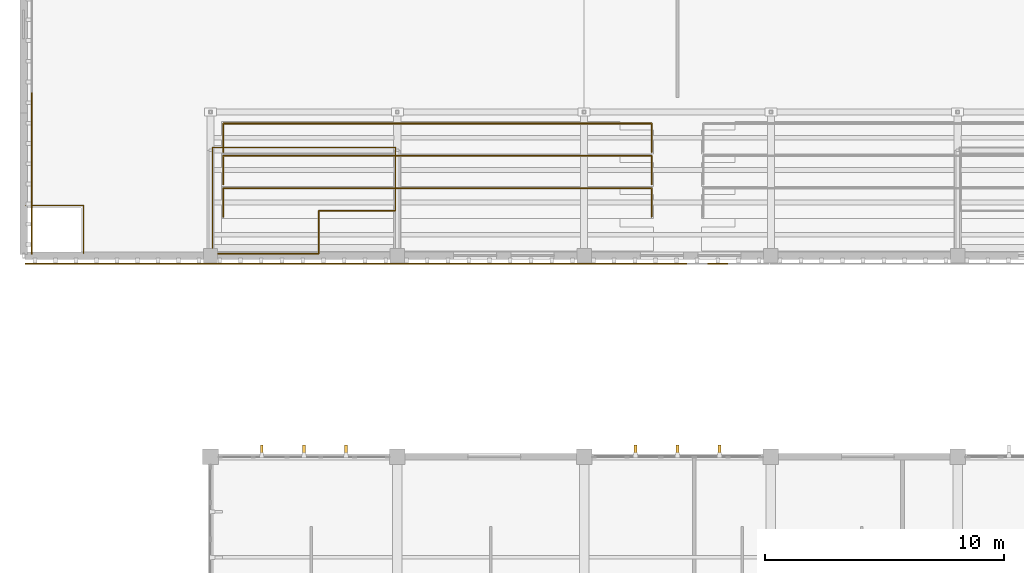
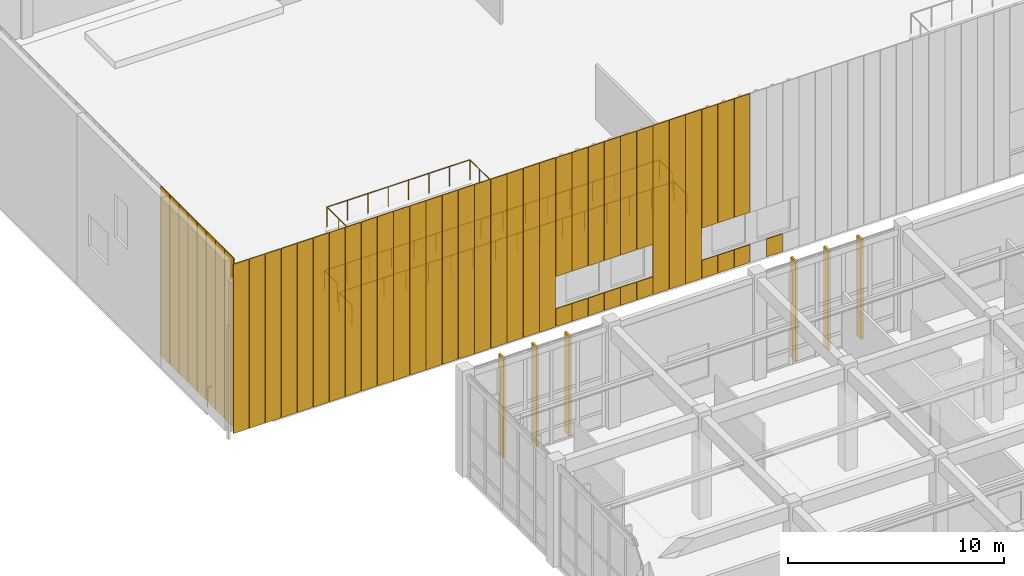
# One storey, part 92 of 105: 56 coverings, 5 railings.
"""IFC4 building model written with IfcOpenShell, lengths in metres."""

from ifc_helpers import new_model, si_unit, direction, frame, origin, origin_2d, place, context, subcontext, project, spatial, rectangle, circle, extrude, material, layer, layer_set, type_object, element, save


model = new_model("IFC4")

# Units and contexts
model_context = context("Model", 3, precision=1e-05, world=origin(), true_north=direction((0.0, 1.0)))
body_context = subcontext(model_context, "Body", "Model", "MODEL_VIEW")
ifc_project = project(units=[si_unit("LENGTHUNIT", "METRE"), si_unit("AREAUNIT", "SQUARE_METRE"), si_unit("VOLUMEUNIT", "CUBIC_METRE"), si_unit("PLANEANGLEUNIT", "RADIAN"), si_unit("MASSUNIT", "GRAM", prefix="KILO")], contexts=[model_context])

# Site, building, storey
site_placement = place(None, origin())
site = spatial("IfcSite", under=ifc_project, at=site_placement, CompositionType="ELEMENT")
building_placement = place(site_placement, origin())
building = spatial("IfcBuilding", under=site, at=building_placement, Name="Tizgana Railside Sports Hall", CompositionType="ELEMENT")
storey_placement = place(building_placement, frame((0.0, 0.0, 6.0)))
storey = spatial("IfcBuildingStorey", under=building, at=storey_placement, Name="L01", CompositionType="ELEMENT", Elevation=6.0)

# Coverings
ifc_material_1 = material(Name="Glulam GL28h", Category="wood")
ifc_layer_1 = layer(ifc_material_1, 0.139892578125, Name="Glulam GL28h")
ifc_layer_set_1 = layer_set([ifc_layer_1], Name="Glulam GL28h")
covering_type_1 = type_object("IfcCoveringType", Name="Mass-Timber Brise-Soleil & Pergola Fin", PredefinedType="CLADDING", material=ifc_layer_set_1)
for number, where, z_axis, x_axis, name in (
    (1, (9.93994140625, 32.679931640625, 0.0400390625), (0.0, 0.0, 1.0), (1.0, 0.0, 0.0), "L01 Timber Brise-Soleil Fin"),
    (2, (11.699951171875, 32.679931640625, 0.0400390625), (0.0, 0.0, 1.0), (1.0, 0.0, 0.0), "L01 Timber Brise-Soleil Fin"),
    (3, (13.4599609375, 32.679931640625, 0.0400390625), (0.0, 0.0, 1.0), (1.0, 0.0, 0.0), "L01 Timber Brise-Soleil Fin"),
    (4, (25.5400390625, 32.679931640625, 0.0400390625), (0.0, 0.0, 1.0), (1.0, 0.0, 0.0), "L01 Timber Brise-Soleil Fin"),
    (5, (27.300048828125, 32.679931640625, 0.0400390625), (0.0, 0.0, 1.0), (1.0, 0.0, 0.0), "L01 Timber Brise-Soleil Fin"),
    (6, (29.06005859375, 32.679931640625, 0.0400390625), (0.0, 0.0, 1.0), (1.0, 0.0, 0.0), "L01 Timber Brise-Soleil Fin"),
):
    element("IfcCovering", number, at=place(storey_placement, frame(where, z_axis=z_axis, x_axis=x_axis)), inside=storey, type_object=covering_type_1, Name=name, PredefinedType="CLADDING", context=body_context, shape_type="SweptSolid", body=[
        extrude(rectangle(XDim=0.1201171875, YDim=0.43994140625, at=origin_2d()), origin(), (0.0, 0.0, 1.0), 5.639892578125),
    ])
ifc_material_2 = material(Name="Anodised perforated aluminium screen", Category="aluminium")
ifc_layer_2 = layer(ifc_material_2, 0.044921875, Name="Anodised perforated aluminium screen")
ifc_layer_set_2 = layer_set([ifc_layer_2], Name="Anodised perforated aluminium screen")
covering_type_2 = type_object("IfcCoveringType", Name="Perforated Aluminium Hall Screen 900", PredefinedType="CLADDING", material=ifc_layer_set_2)
for number, where, z_axis, x_axis, name in (
    (7, (7.322265625, 40.465087890625, 0.02001953125), (0.0, 0.0, 1.0), (-1.0, 0.0, 0.0), "L01 Perforated Screen SCR-0001"),
    (8, (6.466796875, 40.465087890625, 0.02001953125), (0.0, 0.0, 1.0), (-1.0, 0.0, 0.0), "L01 Perforated Screen SCR-0002"),
    (9, (5.611083984375, 40.465087890625, 0.02001953125), (0.0, 0.0, 1.0), (-1.0, 0.0, 0.0), "L01 Perforated Screen SCR-0003"),
    (10, (4.755615234375, 40.465087890625, 0.02001953125), (0.0, 0.0, 1.0), (-1.0, 0.0, 0.0), "L01 Perforated Screen SCR-0004"),
    (11, (3.89990234375, 40.465087890625, 0.02001953125), (0.0, 0.0, 1.0), (-1.0, 0.0, 0.0), "L01 Perforated Screen SCR-0005"),
    (12, (3.04443359375, 40.465087890625, 0.02001953125), (0.0, 0.0, 1.0), (-1.0, 0.0, 0.0), "L01 Perforated Screen SCR-0006"),
    (13, (2.18896484375, 40.465087890625, 0.02001953125), (0.0, 0.0, 1.0), (-1.0, 0.0, 0.0), "L01 Perforated Screen SCR-0007"),
    (14, (1.333251953125, 40.465087890625, 0.02001953125), (0.0, 0.0, 1.0), (-1.0, 0.0, 0.0), "L01 Perforated Screen SCR-0008"),
    (15, (0.477783203125, 40.465087890625, 0.02001953125), (0.0, 0.0, 1.0), (-1.0, 0.0, 0.0), "L01 Perforated Screen SCR-0009"),
):
    element("IfcCovering", number, at=place(storey_placement, frame(where, z_axis=z_axis, x_axis=x_axis)), inside=storey, type_object=covering_type_2, Name=name, PredefinedType="CLADDING", context=body_context, shape_type="SweptSolid", body=[
        extrude(rectangle(XDim=0.837646484375, YDim=0.044921875, at=origin_2d()), origin(), (0.0, 0.0, 1.0), 9.56005859375),
    ])
for number, where, z_axis, x_axis, name in (
    (16, (15.116943359375, 40.465087890625, 0.02001953125), (0.0, 0.0, 1.0), (-1.0, 0.0, 0.0), "L01 Perforated Screen SCR-0023"),
    (17, (14.250732421875, 40.465087890625, 0.02001953125), (0.0, 0.0, 1.0), (-1.0, 0.0, 0.0), "L01 Perforated Screen SCR-0024"),
    (18, (13.384765625, 40.465087890625, 0.02001953125), (0.0, 0.0, 1.0), (-1.0, 0.0, 0.0), "L01 Perforated Screen SCR-0025"),
    (19, (12.5185546875, 40.465087890625, 0.02001953125), (0.0, 0.0, 1.0), (-1.0, 0.0, 0.0), "L01 Perforated Screen SCR-0026"),
    (20, (11.652587890625, 40.465087890625, 0.02001953125), (0.0, 0.0, 1.0), (-1.0, 0.0, 0.0), "L01 Perforated Screen SCR-0027"),
    (21, (10.786376953125, 40.465087890625, 0.02001953125), (0.0, 0.0, 1.0), (-1.0, 0.0, 0.0), "L01 Perforated Screen SCR-0028"),
    (22, (9.92041015625, 40.465087890625, 0.02001953125), (0.0, 0.0, 1.0), (-1.0, 0.0, 0.0), "L01 Perforated Screen SCR-0029"),
    (23, (9.05419921875, 40.465087890625, 0.02001953125), (0.0, 0.0, 1.0), (-1.0, 0.0, 0.0), "L01 Perforated Screen SCR-0030"),
    (24, (8.18798828125, 40.465087890625, 0.02001953125), (0.0, 0.0, 1.0), (-1.0, 0.0, 0.0), "L01 Perforated Screen SCR-0031"),
    (25, (22.9169921875, 40.465087890625, 0.02001953125), (0.0, 0.0, 1.0), (-1.0, 0.0, 0.0), "L01 Perforated Screen SCR-0041"),
):
    element("IfcCovering", number, at=place(storey_placement, frame(where, z_axis=z_axis, x_axis=x_axis)), inside=storey, type_object=covering_type_2, Name=name, PredefinedType="CLADDING", context=body_context, shape_type="SweptSolid", body=[
        extrude(rectangle(XDim=0.84814453125, YDim=0.044921875, at=origin_2d()), origin(), (0.0, 0.0, 1.0), 9.56005859375),
    ])
covering_1_placement = place(storey_placement, frame((22.05078125, 40.465087890625, 0.02978515625), z_axis=(0.0, 0.0, 1.0), x_axis=(-1.0, 0.0, 0.0)))
element("IfcCovering", 26, at=covering_1_placement, inside=storey, type_object=covering_type_2, Name="L01 Perforated Spandrel SCR-0042", PredefinedType="CLADDING", context=body_context, shape_type="SweptSolid", body=[
    extrude(rectangle(XDim=0.84814453125, YDim=0.044921875, at=origin_2d()), origin(), (0.0, 0.0, 1.0), 1.010009765625),
])
covering_2_placement = place(storey_placement, frame((22.05078125, 40.465087890625, 2.860107421875), z_axis=(0.0, 0.0, 1.0), x_axis=(-1.0, 0.0, 0.0)))
element("IfcCovering", 27, at=covering_2_placement, inside=storey, type_object=covering_type_2, Name="L01 Perforated Header SCR-0043", PredefinedType="CLADDING", context=body_context, shape_type="SweptSolid", body=[
    extrude(rectangle(XDim=0.84814453125, YDim=0.044921875, at=origin_2d()), origin(), (0.0, 0.0, 1.0), 6.7099609375),
])
covering_3_placement = place(storey_placement, frame((21.184814453125, 40.465087890625, 0.02978515625), z_axis=(0.0, 0.0, 1.0), x_axis=(-1.0, 0.0, 0.0)))
element("IfcCovering", 28, at=covering_3_placement, inside=storey, type_object=covering_type_2, Name="L01 Perforated Spandrel SCR-0044", PredefinedType="CLADDING", context=body_context, shape_type="SweptSolid", body=[
    extrude(rectangle(XDim=0.84814453125, YDim=0.044921875, at=origin_2d()), origin(), (0.0, 0.0, 1.0), 1.010009765625),
])
covering_4_placement = place(storey_placement, frame((21.184814453125, 40.465087890625, 2.860107421875), z_axis=(0.0, 0.0, 1.0), x_axis=(-1.0, 0.0, 0.0)))
element("IfcCovering", 29, at=covering_4_placement, inside=storey, type_object=covering_type_2, Name="L01 Perforated Header SCR-0045", PredefinedType="CLADDING", context=body_context, shape_type="SweptSolid", body=[
    extrude(rectangle(XDim=0.84814453125, YDim=0.044921875, at=origin_2d()), origin(), (0.0, 0.0, 1.0), 6.7099609375),
])
covering_5_placement = place(storey_placement, frame((20.318603515625, 40.465087890625, 0.02978515625), z_axis=(0.0, 0.0, 1.0), x_axis=(-1.0, 0.0, 0.0)))
element("IfcCovering", 30, at=covering_5_placement, inside=storey, type_object=covering_type_2, Name="L01 Perforated Spandrel SCR-0046", PredefinedType="CLADDING", context=body_context, shape_type="SweptSolid", body=[
    extrude(rectangle(XDim=0.84814453125, YDim=0.044921875, at=origin_2d()), origin(), (0.0, 0.0, 1.0), 1.010009765625),
])
covering_6_placement = place(storey_placement, frame((20.318603515625, 40.465087890625, 2.860107421875), z_axis=(0.0, 0.0, 1.0), x_axis=(-1.0, 0.0, 0.0)))
element("IfcCovering", 31, at=covering_6_placement, inside=storey, type_object=covering_type_2, Name="L01 Perforated Header SCR-0047", PredefinedType="CLADDING", context=body_context, shape_type="SweptSolid", body=[
    extrude(rectangle(XDim=0.84814453125, YDim=0.044921875, at=origin_2d()), origin(), (0.0, 0.0, 1.0), 6.7099609375),
])
covering_7_placement = place(storey_placement, frame((19.452392578125, 40.465087890625, 0.02978515625), z_axis=(0.0, 0.0, 1.0), x_axis=(-1.0, 0.0, 0.0)))
element("IfcCovering", 32, at=covering_7_placement, inside=storey, type_object=covering_type_2, Name="L01 Perforated Spandrel SCR-0048", PredefinedType="CLADDING", context=body_context, shape_type="SweptSolid", body=[
    extrude(rectangle(XDim=0.84814453125, YDim=0.044921875, at=origin_2d()), origin(), (0.0, 0.0, 1.0), 1.010009765625),
])
covering_8_placement = place(storey_placement, frame((19.452392578125, 40.465087890625, 2.860107421875), z_axis=(0.0, 0.0, 1.0), x_axis=(-1.0, 0.0, 0.0)))
element("IfcCovering", 33, at=covering_8_placement, inside=storey, type_object=covering_type_2, Name="L01 Perforated Header SCR-0049", PredefinedType="CLADDING", context=body_context, shape_type="SweptSolid", body=[
    extrude(rectangle(XDim=0.84814453125, YDim=0.044921875, at=origin_2d()), origin(), (0.0, 0.0, 1.0), 6.7099609375),
])
covering_9_placement = place(storey_placement, frame((18.58642578125, 40.465087890625, 0.02978515625), z_axis=(0.0, 0.0, 1.0), x_axis=(-1.0, 0.0, 0.0)))
element("IfcCovering", 34, at=covering_9_placement, inside=storey, type_object=covering_type_2, Name="L01 Perforated Spandrel SCR-0050", PredefinedType="CLADDING", context=body_context, shape_type="SweptSolid", body=[
    extrude(rectangle(XDim=0.84814453125, YDim=0.044921875, at=origin_2d()), origin(), (0.0, 0.0, 1.0), 1.010009765625),
])
covering_10_placement = place(storey_placement, frame((18.58642578125, 40.465087890625, 2.860107421875), z_axis=(0.0, 0.0, 1.0), x_axis=(-1.0, 0.0, 0.0)))
element("IfcCovering", 35, at=covering_10_placement, inside=storey, type_object=covering_type_2, Name="L01 Perforated Header SCR-0051", PredefinedType="CLADDING", context=body_context, shape_type="SweptSolid", body=[
    extrude(rectangle(XDim=0.84814453125, YDim=0.044921875, at=origin_2d()), origin(), (0.0, 0.0, 1.0), 6.7099609375),
])
covering_11_placement = place(storey_placement, frame((17.72021484375, 40.465087890625, 0.02978515625), z_axis=(0.0, 0.0, 1.0), x_axis=(-1.0, 0.0, 0.0)))
element("IfcCovering", 36, at=covering_11_placement, inside=storey, type_object=covering_type_2, Name="L01 Perforated Spandrel SCR-0052", PredefinedType="CLADDING", context=body_context, shape_type="SweptSolid", body=[
    extrude(rectangle(XDim=0.84814453125, YDim=0.044921875, at=origin_2d()), origin(), (0.0, 0.0, 1.0), 1.010009765625),
])
covering_12_placement = place(storey_placement, frame((17.72021484375, 40.465087890625, 2.860107421875), z_axis=(0.0, 0.0, 1.0), x_axis=(-1.0, 0.0, 0.0)))
element("IfcCovering", 37, at=covering_12_placement, inside=storey, type_object=covering_type_2, Name="L01 Perforated Header SCR-0053", PredefinedType="CLADDING", context=body_context, shape_type="SweptSolid", body=[
    extrude(rectangle(XDim=0.84814453125, YDim=0.044921875, at=origin_2d()), origin(), (0.0, 0.0, 1.0), 6.7099609375),
])
for number, where, z_axis, x_axis, name in (
    (38, (16.854248046875, 40.465087890625, 0.02001953125), (0.0, 0.0, 1.0), (-1.0, 0.0, 0.0), "L01 Perforated Screen SCR-0054"),
    (39, (15.988037109375, 40.465087890625, 0.02001953125), (0.0, 0.0, 1.0), (-1.0, 0.0, 0.0), "L01 Perforated Screen SCR-0055"),
):
    element("IfcCovering", number, at=place(storey_placement, frame(where, z_axis=z_axis, x_axis=x_axis)), inside=storey, type_object=covering_type_2, Name=name, PredefinedType="CLADDING", context=body_context, shape_type="SweptSolid", body=[
        extrude(rectangle(XDim=0.84814453125, YDim=0.044921875, at=origin_2d()), origin(), (0.0, 0.0, 1.0), 9.56005859375),
    ])
for number, where, z_axis, x_axis, name in (
    (40, (28.984619140625, 40.465087890625, 0.02978515625), (0.0, 0.0, 1.0), (-1.0, 0.0, 0.0), "L01 Perforated Spandrel SCR-0068"),
    (41, (27.25244140625, 40.465087890625, 0.02978515625), (0.0, 0.0, 1.0), (-1.0, 0.0, 0.0), "L01 Perforated Spandrel SCR-0072"),
):
    element("IfcCovering", number, at=place(storey_placement, frame(where, z_axis=z_axis, x_axis=x_axis)), inside=storey, type_object=covering_type_2, Name=name, PredefinedType="CLADDING", context=body_context, shape_type="SweptSolid", body=[
        extrude(rectangle(XDim=0.84814453125, YDim=0.044921875, at=origin_2d()), origin(), (0.0, 0.0, 1.0), 1.010009765625),
    ])
covering_13_placement = place(storey_placement, frame((27.25244140625, 40.465087890625, 2.860107421875), z_axis=(0.0, 0.0, 1.0), x_axis=(-1.0, 0.0, 0.0)))
element("IfcCovering", 42, at=covering_13_placement, inside=storey, type_object=covering_type_2, Name="L01 Perforated Header SCR-0073", PredefinedType="CLADDING", context=body_context, shape_type="SweptSolid", body=[
    extrude(rectangle(XDim=0.84814453125, YDim=0.044921875, at=origin_2d()), origin(), (0.0, 0.0, 1.0), 6.7099609375),
])
covering_14_placement = place(storey_placement, frame((26.386474609375, 40.465087890625, 0.02978515625), z_axis=(0.0, 0.0, 1.0), x_axis=(-1.0, 0.0, 0.0)))
element("IfcCovering", 43, at=covering_14_placement, inside=storey, type_object=covering_type_2, Name="L01 Perforated Spandrel SCR-0074", PredefinedType="CLADDING", context=body_context, shape_type="SweptSolid", body=[
    extrude(rectangle(XDim=0.84814453125, YDim=0.044921875, at=origin_2d()), origin(), (0.0, 0.0, 1.0), 1.010009765625),
])
covering_15_placement = place(storey_placement, frame((26.386474609375, 40.465087890625, 2.860107421875), z_axis=(0.0, 0.0, 1.0), x_axis=(-1.0, 0.0, 0.0)))
element("IfcCovering", 44, at=covering_15_placement, inside=storey, type_object=covering_type_2, Name="L01 Perforated Header SCR-0075", PredefinedType="CLADDING", context=body_context, shape_type="SweptSolid", body=[
    extrude(rectangle(XDim=0.84814453125, YDim=0.044921875, at=origin_2d()), origin(), (0.0, 0.0, 1.0), 6.7099609375),
])
covering_16_placement = place(storey_placement, frame((25.520263671875, 40.465087890625, 0.02978515625), z_axis=(0.0, 0.0, 1.0), x_axis=(-1.0, 0.0, 0.0)))
element("IfcCovering", 45, at=covering_16_placement, inside=storey, type_object=covering_type_2, Name="L01 Perforated Spandrel SCR-0076", PredefinedType="CLADDING", context=body_context, shape_type="SweptSolid", body=[
    extrude(rectangle(XDim=0.84814453125, YDim=0.044921875, at=origin_2d()), origin(), (0.0, 0.0, 1.0), 1.010009765625),
])
covering_17_placement = place(storey_placement, frame((25.520263671875, 40.465087890625, 2.860107421875), z_axis=(0.0, 0.0, 1.0), x_axis=(-1.0, 0.0, 0.0)))
element("IfcCovering", 46, at=covering_17_placement, inside=storey, type_object=covering_type_2, Name="L01 Perforated Header SCR-0077", PredefinedType="CLADDING", context=body_context, shape_type="SweptSolid", body=[
    extrude(rectangle(XDim=0.84814453125, YDim=0.044921875, at=origin_2d()), origin(), (0.0, 0.0, 1.0), 6.7099609375),
])
for number, where, z_axis, x_axis, name in (
    (47, (24.654296875, 40.465087890625, 0.02001953125), (0.0, 0.0, 1.0), (-1.0, 0.0, 0.0), "L01 Perforated Screen SCR-0078"),
    (48, (23.7880859375, 40.465087890625, 0.02001953125), (0.0, 0.0, 1.0), (-1.0, 0.0, 0.0), "L01 Perforated Screen SCR-0079"),
):
    element("IfcCovering", number, at=place(storey_placement, frame(where, z_axis=z_axis, x_axis=x_axis)), inside=storey, type_object=covering_type_2, Name=name, PredefinedType="CLADDING", context=body_context, shape_type="SweptSolid", body=[
        extrude(rectangle(XDim=0.84814453125, YDim=0.044921875, at=origin_2d()), origin(), (0.0, 0.0, 1.0), 9.56005859375),
    ])
for number, where, z_axis, x_axis, name in (
    (49, (0.3349609375, 46.32861328125, 0.02001953125), (0.0, 0.0, 1.0), (0.0, -1.0, 0.0), "L01 Perforated Screen SCR-0155"),
    (50, (0.3349609375, 45.485595703125, 0.02001953125), (0.0, 0.0, 1.0), (0.0, -1.0, 0.0), "L01 Perforated Screen SCR-0156"),
    (51, (0.3349609375, 44.642822265625, 0.02001953125), (0.0, 0.0, 1.0), (0.0, -1.0, 0.0), "L01 Perforated Screen SCR-0157"),
    (52, (0.3349609375, 43.800048828125, 0.02001953125), (0.0, 0.0, 1.0), (0.0, -1.0, 0.0), "L01 Perforated Screen SCR-0158"),
    (53, (0.3349609375, 42.95703125, 0.02001953125), (0.0, 0.0, 1.0), (0.0, -1.0, 0.0), "L01 Perforated Screen SCR-0159"),
    (54, (0.3349609375, 42.1142578125, 0.02001953125), (0.0, 0.0, 1.0), (0.0, -1.0, 0.0), "L01 Perforated Screen SCR-0160"),
    (55, (0.3349609375, 41.271484375, 0.02001953125), (0.0, 0.0, 1.0), (0.0, -1.0, 0.0), "L01 Perforated Screen SCR-0161"),
):
    element("IfcCovering", number, at=place(storey_placement, frame(where, z_axis=z_axis, x_axis=x_axis)), inside=storey, type_object=covering_type_2, Name=name, PredefinedType="CLADDING", context=body_context, shape_type="SweptSolid", body=[
        extrude(rectangle(XDim=0.824951171875, YDim=0.044921875, at=origin_2d()), origin(), (0.0, 0.0, 1.0), 9.56005859375),
    ])
covering_18_placement = place(storey_placement, frame((0.3349609375, 47.18798828125, 0.02001953125), z_axis=(0.0, 0.0, 1.0), x_axis=(0.0, -1.0, 0.0)))
element("IfcCovering", 56, at=covering_18_placement, inside=storey, type_object=covering_type_2, Name="L01 Perforated Screen SCR-0175", PredefinedType="CLADDING", context=body_context, shape_type="SweptSolid", body=[
    extrude(rectangle(XDim=0.84814453125, YDim=0.044921875, at=origin_2d()), origin(), (0.0, 0.0, 1.0), 9.56005859375),
])

# Railings
ifc_material_3 = material(Name="Galvanised steel sheet", Category="steel")
railing_type_1 = type_object("IfcRailingType", Name="Safety Balustrade Guard 1100", PredefinedType="BALUSTRADE", material=ifc_material_3)
railing_1_placement = place(storey_placement, frame((8.330078125, 42.429931640625, 0.840087890625)))
element("IfcRailing", 57, at=railing_1_placement, inside=storey, type_object=railing_type_1, Name="L01 Stand Guard SGD-0001", PredefinedType="BALUSTRADE", context=body_context, shape_type="SweptSolid", body=[
    extrude(circle(Radius=0.02392578125, at=origin_2d()), frame((0.0, 0.0, 1.09619140625), z_axis=(0.0, 1.0, 0.0), x_axis=(-1.0, 0.0, 0.0)), (0.0, 0.0, 1.0), 1.190185546875),
    extrude(circle(Radius=0.02392578125, at=origin_2d()), frame((0.0, 1.190185546875, 1.09619140625), z_axis=(1.0, 0.0, 0.0), x_axis=(0.0, 1.0, 0.0)), (0.0, 0.0, 1.0), 17.889892578125),
    extrude(circle(Radius=0.02392578125, at=origin_2d()), frame((17.889892578125, 1.190185546875, 1.09619140625), z_axis=(0.0, -1.0, 0.0), x_axis=(1.0, 0.0, 0.0)), (0.0, 0.0, 1.0), 1.190185546875),
    extrude(circle(Radius=0.02099609375, at=origin_2d()), origin(), (0.0, 0.0, 1.0), 1.072021484375),
    extrude(circle(Radius=0.02099609375, at=origin_2d()), frame((0.0, 1.190185546875, 0.0)), (0.0, 0.0, 1.0), 1.072021484375),
    extrude(circle(Radius=0.02099609375, at=origin_2d()), frame((1.192626953125, 1.190185546875, 0.0)), (0.0, 0.0, 1.0), 1.072021484375),
    extrude(circle(Radius=0.02099609375, at=origin_2d()), frame((2.38525390625, 1.190185546875, 0.0)), (0.0, 0.0, 1.0), 1.072021484375),
    extrude(circle(Radius=0.02099609375, at=origin_2d()), frame((3.577880859375, 1.190185546875, 0.0)), (0.0, 0.0, 1.0), 1.072021484375),
    extrude(circle(Radius=0.02099609375, at=origin_2d()), frame((4.770751953125, 1.190185546875, 0.0)), (0.0, 0.0, 1.0), 1.072021484375),
    extrude(circle(Radius=0.02099609375, at=origin_2d()), frame((5.96337890625, 1.190185546875, 0.0)), (0.0, 0.0, 1.0), 1.072021484375),
    extrude(circle(Radius=0.02099609375, at=origin_2d()), frame((7.156005859375, 1.190185546875, 0.0)), (0.0, 0.0, 1.0), 1.072021484375),
    extrude(circle(Radius=0.02099609375, at=origin_2d()), frame((8.3486328125, 1.190185546875, 0.0)), (0.0, 0.0, 1.0), 1.072021484375),
    extrude(circle(Radius=0.02099609375, at=origin_2d()), frame((9.541259765625, 1.190185546875, 0.0)), (0.0, 0.0, 1.0), 1.072021484375),
    extrude(circle(Radius=0.02099609375, at=origin_2d()), frame((10.73388671875, 1.190185546875, 0.0)), (0.0, 0.0, 1.0), 1.072021484375),
    extrude(circle(Radius=0.02099609375, at=origin_2d()), frame((11.926513671875, 1.190185546875, 0.0)), (0.0, 0.0, 1.0), 1.072021484375),
    extrude(circle(Radius=0.02099609375, at=origin_2d()), frame((13.119140625, 1.190185546875, 0.0)), (0.0, 0.0, 1.0), 1.072021484375),
    extrude(circle(Radius=0.02099609375, at=origin_2d()), frame((14.31201171875, 1.190185546875, 0.0)), (0.0, 0.0, 1.0), 1.072021484375),
    extrude(circle(Radius=0.02099609375, at=origin_2d()), frame((15.504638671875, 1.190185546875, 0.0)), (0.0, 0.0, 1.0), 1.072021484375),
    extrude(circle(Radius=0.02099609375, at=origin_2d()), frame((16.697265625, 1.190185546875, 0.0)), (0.0, 0.0, 1.0), 1.072021484375),
    extrude(circle(Radius=0.02099609375, at=origin_2d()), frame((17.889892578125, 1.190185546875, 0.0)), (0.0, 0.0, 1.0), 1.072021484375),
    extrude(circle(Radius=0.02099609375, at=origin_2d()), frame((17.889892578125, 0.0, 0.0)), (0.0, 0.0, 1.0), 1.072021484375),
])
railing_2_placement = place(storey_placement, frame((8.330078125, 43.780029296875, 1.260009765625)))
element("IfcRailing", 58, at=railing_2_placement, inside=storey, type_object=railing_type_1, Name="L01 Stand Guard SGD-0003", PredefinedType="BALUSTRADE", context=body_context, shape_type="SweptSolid", body=[
    extrude(circle(Radius=0.02392578125, at=origin_2d()), frame((0.0, 0.0, 1.09619140625), z_axis=(0.0, 1.0, 0.0), x_axis=(-1.0, 0.0, 0.0)), (0.0, 0.0, 1.0), 1.18994140625),
    extrude(circle(Radius=0.02392578125, at=origin_2d()), frame((0.0, 1.18994140625, 1.09619140625), z_axis=(1.0, 0.0, 0.0), x_axis=(0.0, 1.0, 0.0)), (0.0, 0.0, 1.0), 17.889892578125),
    extrude(circle(Radius=0.02392578125, at=origin_2d()), frame((17.889892578125, 1.18994140625, 1.09619140625), z_axis=(0.0, -1.0, 0.0), x_axis=(1.0, 0.0, 0.0)), (0.0, 0.0, 1.0), 1.18994140625),
    extrude(circle(Radius=0.02099609375, at=origin_2d()), origin(), (0.0, 0.0, 1.0), 1.072021484375),
    extrude(circle(Radius=0.02099609375, at=origin_2d()), frame((0.0, 1.18994140625, 0.0)), (0.0, 0.0, 1.0), 1.072021484375),
    extrude(circle(Radius=0.02099609375, at=origin_2d()), frame((1.192626953125, 1.18994140625, 0.0)), (0.0, 0.0, 1.0), 1.072021484375),
    extrude(circle(Radius=0.02099609375, at=origin_2d()), frame((2.38525390625, 1.18994140625, 0.0)), (0.0, 0.0, 1.0), 1.072021484375),
    extrude(circle(Radius=0.02099609375, at=origin_2d()), frame((3.577880859375, 1.18994140625, 0.0)), (0.0, 0.0, 1.0), 1.072021484375),
    extrude(circle(Radius=0.02099609375, at=origin_2d()), frame((4.770751953125, 1.18994140625, 0.0)), (0.0, 0.0, 1.0), 1.072021484375),
    extrude(circle(Radius=0.02099609375, at=origin_2d()), frame((5.96337890625, 1.18994140625, 0.0)), (0.0, 0.0, 1.0), 1.072021484375),
    extrude(circle(Radius=0.02099609375, at=origin_2d()), frame((7.156005859375, 1.18994140625, 0.0)), (0.0, 0.0, 1.0), 1.072021484375),
    extrude(circle(Radius=0.02099609375, at=origin_2d()), frame((8.3486328125, 1.18994140625, 0.0)), (0.0, 0.0, 1.0), 1.072021484375),
    extrude(circle(Radius=0.02099609375, at=origin_2d()), frame((9.541259765625, 1.18994140625, 0.0)), (0.0, 0.0, 1.0), 1.072021484375),
    extrude(circle(Radius=0.02099609375, at=origin_2d()), frame((10.73388671875, 1.18994140625, 0.0)), (0.0, 0.0, 1.0), 1.072021484375),
    extrude(circle(Radius=0.02099609375, at=origin_2d()), frame((11.926513671875, 1.18994140625, 0.0)), (0.0, 0.0, 1.0), 1.072021484375),
    extrude(circle(Radius=0.02099609375, at=origin_2d()), frame((13.119140625, 1.18994140625, 0.0)), (0.0, 0.0, 1.0), 1.072021484375),
    extrude(circle(Radius=0.02099609375, at=origin_2d()), frame((14.31201171875, 1.18994140625, 0.0)), (0.0, 0.0, 1.0), 1.072021484375),
    extrude(circle(Radius=0.02099609375, at=origin_2d()), frame((15.504638671875, 1.18994140625, 0.0)), (0.0, 0.0, 1.0), 1.072021484375),
    extrude(circle(Radius=0.02099609375, at=origin_2d()), frame((16.697265625, 1.18994140625, 0.0)), (0.0, 0.0, 1.0), 1.072021484375),
    extrude(circle(Radius=0.02099609375, at=origin_2d()), frame((17.889892578125, 1.18994140625, 0.0)), (0.0, 0.0, 1.0), 1.072021484375),
    extrude(circle(Radius=0.02099609375, at=origin_2d()), frame((17.889892578125, 0.0, 0.0)), (0.0, 0.0, 1.0), 1.072021484375),
])
railing_3_placement = place(storey_placement, frame((8.330078125, 45.1298828125, 1.679931640625)))
element("IfcRailing", 59, at=railing_3_placement, inside=storey, type_object=railing_type_1, Name="L01 Stand Guard SGD-0005", PredefinedType="BALUSTRADE", context=body_context, shape_type="SweptSolid", body=[
    extrude(circle(Radius=0.02392578125, at=origin_2d()), frame((0.0, 0.0, 1.09619140625), z_axis=(0.0, 1.0, 0.0), x_axis=(-1.0, 0.0, 0.0)), (0.0, 0.0, 1.0), 1.190185546875),
    extrude(circle(Radius=0.02392578125, at=origin_2d()), frame((0.0, 1.190185546875, 1.09619140625), z_axis=(1.0, 0.0, 0.0), x_axis=(0.0, 1.0, 0.0)), (0.0, 0.0, 1.0), 17.889892578125),
    extrude(circle(Radius=0.02392578125, at=origin_2d()), frame((17.889892578125, 1.190185546875, 1.09619140625), z_axis=(0.0, -1.0, 0.0), x_axis=(1.0, 0.0, 0.0)), (0.0, 0.0, 1.0), 1.190185546875),
    extrude(circle(Radius=0.02099609375, at=origin_2d()), origin(), (0.0, 0.0, 1.0), 1.072021484375),
    extrude(circle(Radius=0.02099609375, at=origin_2d()), frame((0.0, 1.190185546875, 0.0)), (0.0, 0.0, 1.0), 1.072021484375),
    extrude(circle(Radius=0.02099609375, at=origin_2d()), frame((1.192626953125, 1.190185546875, 0.0)), (0.0, 0.0, 1.0), 1.072021484375),
    extrude(circle(Radius=0.02099609375, at=origin_2d()), frame((2.38525390625, 1.190185546875, 0.0)), (0.0, 0.0, 1.0), 1.072021484375),
    extrude(circle(Radius=0.02099609375, at=origin_2d()), frame((3.577880859375, 1.190185546875, 0.0)), (0.0, 0.0, 1.0), 1.072021484375),
    extrude(circle(Radius=0.02099609375, at=origin_2d()), frame((4.770751953125, 1.190185546875, 0.0)), (0.0, 0.0, 1.0), 1.072021484375),
    extrude(circle(Radius=0.02099609375, at=origin_2d()), frame((5.96337890625, 1.190185546875, 0.0)), (0.0, 0.0, 1.0), 1.072021484375),
    extrude(circle(Radius=0.02099609375, at=origin_2d()), frame((7.156005859375, 1.190185546875, 0.0)), (0.0, 0.0, 1.0), 1.072021484375),
    extrude(circle(Radius=0.02099609375, at=origin_2d()), frame((8.3486328125, 1.190185546875, 0.0)), (0.0, 0.0, 1.0), 1.072021484375),
    extrude(circle(Radius=0.02099609375, at=origin_2d()), frame((9.541259765625, 1.190185546875, 0.0)), (0.0, 0.0, 1.0), 1.072021484375),
    extrude(circle(Radius=0.02099609375, at=origin_2d()), frame((10.73388671875, 1.190185546875, 0.0)), (0.0, 0.0, 1.0), 1.072021484375),
    extrude(circle(Radius=0.02099609375, at=origin_2d()), frame((11.926513671875, 1.190185546875, 0.0)), (0.0, 0.0, 1.0), 1.072021484375),
    extrude(circle(Radius=0.02099609375, at=origin_2d()), frame((13.119140625, 1.190185546875, 0.0)), (0.0, 0.0, 1.0), 1.072021484375),
    extrude(circle(Radius=0.02099609375, at=origin_2d()), frame((14.31201171875, 1.190185546875, 0.0)), (0.0, 0.0, 1.0), 1.072021484375),
    extrude(circle(Radius=0.02099609375, at=origin_2d()), frame((15.504638671875, 1.190185546875, 0.0)), (0.0, 0.0, 1.0), 1.072021484375),
    extrude(circle(Radius=0.02099609375, at=origin_2d()), frame((16.697265625, 1.190185546875, 0.0)), (0.0, 0.0, 1.0), 1.072021484375),
    extrude(circle(Radius=0.02099609375, at=origin_2d()), frame((17.889892578125, 1.190185546875, 0.0)), (0.0, 0.0, 1.0), 1.072021484375),
    extrude(circle(Radius=0.02099609375, at=origin_2d()), frame((17.889892578125, 0.0, 0.0)), (0.0, 0.0, 1.0), 1.072021484375),
])
ifc_material_4 = material(Name="Anodised aluminium", Category="aluminium")
railing_type_2 = type_object("IfcRailingType", Name="Terrace & Track Guard 1150", PredefinedType="BALUSTRADE", material=ifc_material_4)
railing_4_placement = place(storey_placement, frame((7.8798828125, 40.8798828125, 6.0)))
element("IfcRailing", 60, at=railing_4_placement, inside=storey, type_object=railing_type_2, Name="L01 V1 Catwalk SW Guard", PredefinedType="BALUSTRADE", context=body_context, shape_type="SweptSolid", body=[
    extrude(circle(Radius=0.02392578125, at=origin_2d()), frame((0.0, 0.0, 1.1259765625), z_axis=(1.0, 0.0, 0.0), x_axis=(0.0, 1.0, 0.0)), (0.0, 0.0, 1.0), 4.440185546875),
    extrude(circle(Radius=0.02392578125, at=origin_2d()), frame((4.440185546875, 0.0, 1.1259765625), z_axis=(0.0, 1.0, 0.0), x_axis=(-1.0, 0.0, 0.0)), (0.0, 0.0, 1.0), 1.800048828125),
    extrude(circle(Radius=0.02392578125, at=origin_2d()), frame((4.440185546875, 1.800048828125, 1.1259765625), z_axis=(1.0, 0.0, 0.0), x_axis=(0.0, 1.0, 0.0)), (0.0, 0.0, 1.0), 3.199951171875),
    extrude(circle(Radius=0.02392578125, at=origin_2d()), frame((7.64013671875, 1.800048828125, 1.1259765625), z_axis=(0.0, 1.0, 0.0), x_axis=(-1.0, 0.0, 0.0)), (0.0, 0.0, 1.0), 2.64013671875),
    extrude(circle(Radius=0.02392578125, at=origin_2d()), frame((7.64013671875, 4.440185546875, 1.1259765625), z_axis=(-1.0, 0.0, 0.0), x_axis=(0.0, -1.0, 0.0)), (0.0, 0.0, 1.0), 7.64013671875),
    extrude(circle(Radius=0.02392578125, at=origin_2d()), frame((0.0, 4.440185546875, 1.1259765625), z_axis=(0.0, -1.0, 0.0), x_axis=(1.0, 0.0, 0.0)), (0.0, 0.0, 1.0), 4.360107421875),
    extrude(circle(Radius=0.02099609375, at=origin_2d()), origin(), (0.0, 0.0, 1.0), 1.101806640625),
    extrude(circle(Radius=0.02099609375, at=origin_2d()), frame((1.110107421875, 0.0, 0.0)), (0.0, 0.0, 1.0), 1.101806640625),
    extrude(circle(Radius=0.02099609375, at=origin_2d()), frame((2.22021484375, 0.0, 0.0)), (0.0, 0.0, 1.0), 1.101806640625),
    extrude(circle(Radius=0.02099609375, at=origin_2d()), frame((3.330078125, 0.0, 0.0)), (0.0, 0.0, 1.0), 1.101806640625),
    extrude(circle(Radius=0.02099609375, at=origin_2d()), frame((4.440185546875, 0.0, 0.0)), (0.0, 0.0, 1.0), 1.101806640625),
    extrude(circle(Radius=0.02099609375, at=origin_2d()), frame((4.440185546875, 0.89990234375, 0.0)), (0.0, 0.0, 1.0), 1.101806640625),
    extrude(circle(Radius=0.02099609375, at=origin_2d()), frame((4.440185546875, 1.800048828125, 0.0)), (0.0, 0.0, 1.0), 1.101806640625),
    extrude(circle(Radius=0.02099609375, at=origin_2d()), frame((5.5068359375, 1.800048828125, 0.0)), (0.0, 0.0, 1.0), 1.101806640625),
    extrude(circle(Radius=0.02099609375, at=origin_2d()), frame((6.573486328125, 1.800048828125, 0.0)), (0.0, 0.0, 1.0), 1.101806640625),
    extrude(circle(Radius=0.02099609375, at=origin_2d()), frame((7.64013671875, 1.800048828125, 0.0)), (0.0, 0.0, 1.0), 1.101806640625),
    extrude(circle(Radius=0.02099609375, at=origin_2d()), frame((7.64013671875, 2.68017578125, 0.0)), (0.0, 0.0, 1.0), 1.101806640625),
    extrude(circle(Radius=0.02099609375, at=origin_2d()), frame((7.64013671875, 3.56005859375, 0.0)), (0.0, 0.0, 1.0), 1.101806640625),
    extrude(circle(Radius=0.02099609375, at=origin_2d()), frame((7.64013671875, 4.440185546875, 0.0)), (0.0, 0.0, 1.0), 1.101806640625),
    extrude(circle(Radius=0.02099609375, at=origin_2d()), frame((6.548583984375, 4.440185546875, 0.0)), (0.0, 0.0, 1.0), 1.101806640625),
    extrude(circle(Radius=0.02099609375, at=origin_2d()), frame((5.457275390625, 4.440185546875, 0.0)), (0.0, 0.0, 1.0), 1.101806640625),
    extrude(circle(Radius=0.02099609375, at=origin_2d()), frame((4.36572265625, 4.440185546875, 0.0)), (0.0, 0.0, 1.0), 1.101806640625),
    extrude(circle(Radius=0.02099609375, at=origin_2d()), frame((3.2744140625, 4.440185546875, 0.0)), (0.0, 0.0, 1.0), 1.101806640625),
    extrude(circle(Radius=0.02099609375, at=origin_2d()), frame((2.182861328125, 4.440185546875, 0.0)), (0.0, 0.0, 1.0), 1.101806640625),
    extrude(circle(Radius=0.02099609375, at=origin_2d()), frame((1.091552734375, 4.440185546875, 0.0)), (0.0, 0.0, 1.0), 1.101806640625),
    extrude(circle(Radius=0.02099609375, at=origin_2d()), frame((0.0, 4.440185546875, 0.0)), (0.0, 0.0, 1.0), 1.101806640625),
    extrude(circle(Radius=0.02099609375, at=origin_2d()), frame((0.0, 3.35009765625, 0.0)), (0.0, 0.0, 1.0), 1.101806640625),
    extrude(circle(Radius=0.02099609375, at=origin_2d()), frame((0.0, 2.26025390625, 0.0)), (0.0, 0.0, 1.0), 1.101806640625),
    extrude(circle(Radius=0.02099609375, at=origin_2d()), frame((0.0, 1.170166015625, 0.0)), (0.0, 0.0, 1.0), 1.101806640625),
    extrude(circle(Radius=0.02099609375, at=origin_2d()), frame((0.0, 0.080078125, 0.0)), (0.0, 0.0, 1.0), 1.101806640625),
])
railing_5_placement = place(storey_placement, frame((0.10009765625, 42.89990234375, 0.0)))
element("IfcRailing", 61, at=railing_5_placement, inside=storey, type_object=railing_type_2, Name="L01 Safety Guard GRD-0011", PredefinedType="BALUSTRADE", context=body_context, shape_type="SweptSolid", body=[
    extrude(circle(Radius=0.02392578125, at=origin_2d()), frame((0.0, 0.0, 1.1259765625), z_axis=(1.0, 0.0, 0.0), x_axis=(0.0, 1.0, 0.0)), (0.0, 0.0, 1.0), 2.39990234375),
    extrude(circle(Radius=0.02392578125, at=origin_2d()), frame((2.39990234375, 0.0, 1.1259765625), z_axis=(0.0, -1.0, 0.0), x_axis=(1.0, 0.0, 0.0)), (0.0, 0.0, 1.0), 2.0),
    extrude(circle(Radius=0.02099609375, at=origin_2d()), origin(), (0.0, 0.0, 1.0), 1.101806640625),
    extrude(circle(Radius=0.02099609375, at=origin_2d()), frame((1.199951171875, 0.0, 0.0)), (0.0, 0.0, 1.0), 1.101806640625),
    extrude(circle(Radius=0.02099609375, at=origin_2d()), frame((2.39990234375, 0.0, 0.0)), (0.0, 0.0, 1.0), 1.101806640625),
    extrude(circle(Radius=0.02099609375, at=origin_2d()), frame((2.39990234375, -1.0, 0.0)), (0.0, 0.0, 1.0), 1.101806640625),
    extrude(circle(Radius=0.02099609375, at=origin_2d()), frame((2.39990234375, -2.0, 0.0)), (0.0, 0.0, 1.0), 1.101806640625),
])

save(model, "model.ifc")
